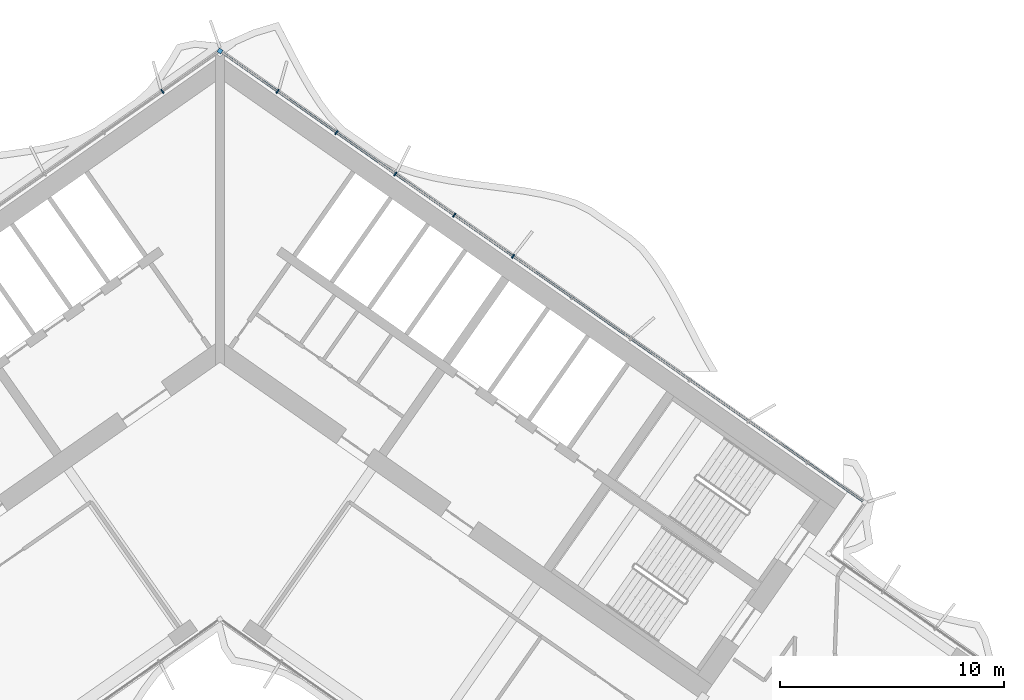
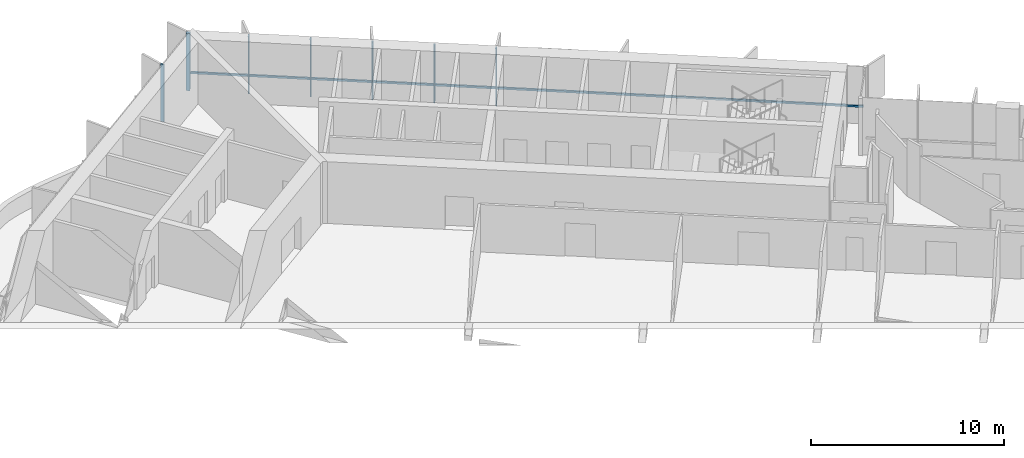
# One storey, part 8 of 21: 8 members, 1 element without a shape of its own.
"""IFC4 building model written with IfcOpenShell, lengths in metres."""

from ifc_helpers import new_model, si_unit, direction, frame, origin, origin_2d, place, context, subcontext, project, spatial, rectangle, extrude, material, material_profile, profile_set, type_object, element, aggregate, save


model = new_model("IFC4")

# Units and contexts
model_context = context("Model", 3, precision=1e-05, world=origin(), true_north=direction((0.0, 1.0)))
body_context = subcontext(model_context, "Body", "Model", "MODEL_VIEW")
ifc_project = project(units=[si_unit("LENGTHUNIT", "METRE"), si_unit("AREAUNIT", "SQUARE_METRE"), si_unit("VOLUMEUNIT", "CUBIC_METRE"), si_unit("PLANEANGLEUNIT", "RADIAN"), si_unit("MASSUNIT", "GRAM", prefix="KILO")], contexts=[model_context])

# Site, building, storey
site_placement = place(None, origin())
site = spatial("IfcSite", under=ifc_project, at=site_placement, CompositionType="ELEMENT")
building_placement = place(site_placement, origin())
building = spatial("IfcBuilding", under=site, at=building_placement, Name="Tel Ilan Convention Tower", CompositionType="ELEMENT")
storey_placement = place(building_placement, frame((0.0, 0.0, 210.0)))
storey = spatial("IfcBuildingStorey", under=building, at=storey_placement, Name="L49", CompositionType="ELEMENT", Elevation=210.0)

# Curtain wall, members
ifc_material_1 = material(Name="Aluminium, bronze anodised", Category="aluminium")
curtain_wall_type = type_object("IfcCurtainWallType", Name="CW2 STICK CURTAIN WALL, SPANDREL PANELS", PredefinedType="NOTDEFINED", material=ifc_material_1)
curtain_wall_placement = place(storey_placement, origin())
curtain_wall = element("IfcCurtainWall", 1, at=curtain_wall_placement, inside=storey, type_object=curtain_wall_type, Name="Curtain wall CW2-38.01", PredefinedType="NOTDEFINED")
ifc_material_2 = material(Name="Aluminium, bronze anodised", Category="aluminium")
ifc_material_profile_1 = material_profile(ifc_material_2, rectangle(XDim=0.199951171875, YDim=0.199951171875, at=origin_2d()), Name="CW CORNER MULLION 200x200")
ifc_profile_set_1 = profile_set([ifc_material_profile_1], Name="Aluminium, bronze anodised")
member_type_1 = type_object("IfcMemberType", Name="CW CORNER MULLION 200x200", PredefinedType="MULLION", material=ifc_profile_set_1)
member_1_placement = place(storey_placement, frame((0.0, 12.696044921875, 0.0), z_axis=(0.0, 0.0, 1.0), x_axis=(-0.819152044289, 0.573576436351, 0.0)))
member_1 = element("IfcMember", 2, at=member_1_placement, type_object=member_type_1, Name="Corner mullion", PredefinedType="MULLION", context=body_context, shape_type="SweptSolid", body=[
    extrude(rectangle(XDim=0.199951171875, YDim=0.199951171875, at=origin_2d()), origin(), (0.0, 0.0, 1.0), 3.6201171875),
])
ifc_material_3 = material(Name="Aluminium, bronze anodised", Category="aluminium")
ifc_material_profile_2 = material_profile(ifc_material_3, rectangle(XDim=0.06005859375, YDim=0.199951171875, at=origin_2d()), Name="CW MULLION 60x200")
ifc_profile_set_2 = profile_set([ifc_material_profile_2], Name="Aluminium, bronze anodised")
member_type_2 = type_object("IfcMemberType", Name="CW MULLION 60x200", PredefinedType="MULLION", material=ifc_profile_set_2)
member_2_placement = place(storey_placement, frame((13.105712890625, 3.519287109375, 0.0), z_axis=(0.0, 0.0, 1.0), x_axis=(-0.819152044289, 0.573576436351, 0.0)))
member_2 = element("IfcMember", 3, at=member_2_placement, type_object=member_type_2, Name="Mullion", PredefinedType="MULLION", context=body_context, shape_type="SweptSolid", body=[
    extrude(rectangle(XDim=0.06005859375, YDim=0.199951171875, at=origin_2d()), origin(), (0.0, 0.0, 1.0), 3.6201171875),
])
member_3_placement = place(storey_placement, frame((10.47314453125, 5.36279296875, 0.0), z_axis=(0.0, 0.0, 1.0), x_axis=(-0.819152044289, 0.573576436351, 0.0)))
member_3 = element("IfcMember", 4, at=member_3_placement, type_object=member_type_2, Name="Mullion", PredefinedType="MULLION", context=body_context, shape_type="SweptSolid", body=[
    extrude(rectangle(XDim=0.06005859375, YDim=0.199951171875, at=origin_2d()), origin(), (0.0, 0.0, 1.0), 3.6201171875),
])
member_4_placement = place(storey_placement, frame((7.840576171875, 7.2060546875, 0.0), z_axis=(0.0, 0.0, 1.0), x_axis=(-0.819152044289, 0.573576436351, 0.0)))
member_4 = element("IfcMember", 5, at=member_4_placement, type_object=member_type_2, Name="Mullion", PredefinedType="MULLION", context=body_context, shape_type="SweptSolid", body=[
    extrude(rectangle(XDim=0.06005859375, YDim=0.199951171875, at=origin_2d()), origin(), (0.0, 0.0, 1.0), 3.6201171875),
])
member_5_placement = place(storey_placement, frame((5.207763671875, 9.049560546875, 0.0), z_axis=(0.0, 0.0, 1.0), x_axis=(-0.819152044289, 0.573576436351, 0.0)))
member_5 = element("IfcMember", 6, at=member_5_placement, type_object=member_type_2, Name="Mullion", PredefinedType="MULLION", context=body_context, shape_type="SweptSolid", body=[
    extrude(rectangle(XDim=0.06005859375, YDim=0.199951171875, at=origin_2d()), origin(), (0.0, 0.0, 1.0), 3.6201171875),
])
member_6_placement = place(storey_placement, frame((2.5751953125, 10.892822265625, 0.0), z_axis=(0.0, 0.0, 1.0), x_axis=(-0.819152044289, 0.573576436351, 0.0)))
member_6 = element("IfcMember", 7, at=member_6_placement, type_object=member_type_2, Name="Mullion", PredefinedType="MULLION", context=body_context, shape_type="SweptSolid", body=[
    extrude(rectangle(XDim=0.06005859375, YDim=0.199951171875, at=origin_2d()), origin(), (0.0, 0.0, 1.0), 3.6201171875),
])
member_7_placement = place(storey_placement, frame((-2.5751953125, 10.892822265625, 0.0), z_axis=(0.0, 0.0, 1.0), x_axis=(-0.819152044289, -0.573576436351, 0.0)))
member_7 = element("IfcMember", 8, at=member_7_placement, type_object=member_type_2, Name="Mullion", PredefinedType="MULLION", context=body_context, shape_type="SweptSolid", body=[
    extrude(rectangle(XDim=0.06005859375, YDim=0.199951171875, at=origin_2d()), origin(), (0.0, 0.0, 1.0), 3.6201171875),
])
ifc_material_4 = material(Name="Aluminium, bronze anodised", Category="aluminium")
ifc_material_profile_3 = material_profile(ifc_material_4, rectangle(XDim=0.10009765625, YDim=0.1201171875, at=origin_2d()), Name="CW TRANSOM 100x120")
ifc_profile_set_3 = profile_set([ifc_material_profile_3], Name="Aluminium, bronze anodised")
member_type_3 = type_object("IfcMemberType", Name="CW TRANSOM 100x120", PredefinedType="USERDEFINED", material=ifc_profile_set_3)
member_8_placement = place(storey_placement, frame((28.737548828125, -7.42626953125, 1.10009765625), z_axis=(-0.819150201937, 0.573579067494, 0.0), x_axis=(-0.573579067494, -0.819150201937, 0.0)))
member_8 = element("IfcMember", 9, at=member_8_placement, type_object=member_type_3, Name="Transom", ObjectType="TRANSOM", PredefinedType="USERDEFINED", context=body_context, shape_type="SweptSolid", body=[
    extrude(rectangle(XDim=0.10009765625, YDim=0.1201171875, at=origin_2d()), origin(), (0.0, 0.0, 1.0), 34.9521484375),
])
aggregate(curtain_wall, [member_2, member_3, member_4, member_5, member_6, member_1, member_8, member_7])

save(model, "model.ifc")
